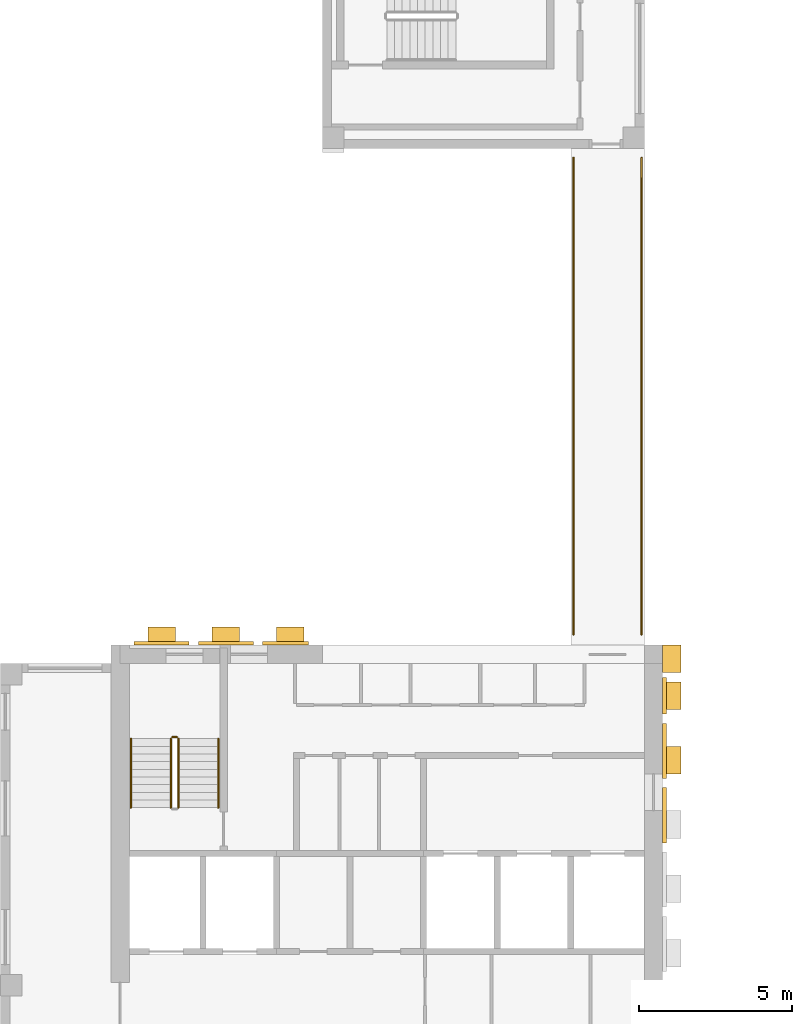
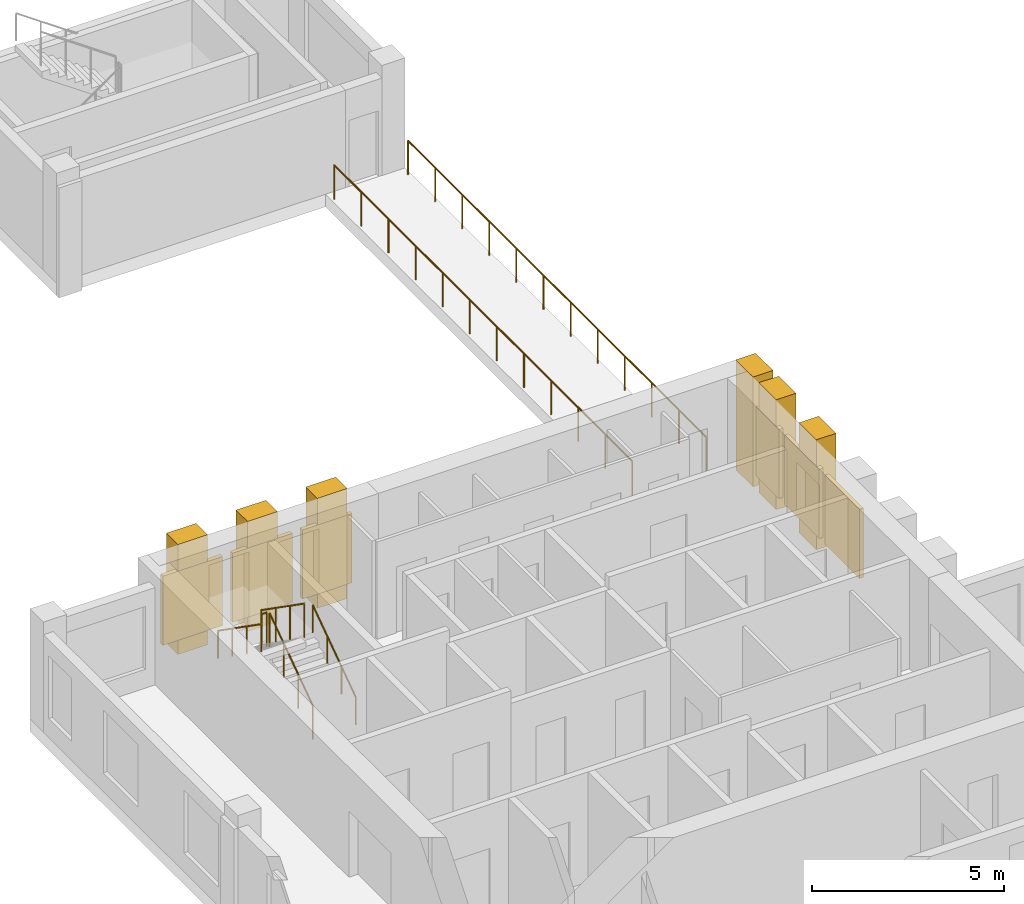
# One storey, part 7 of 9: 12 coverings, 7 railings.
"""IFC4 building model written with IfcOpenShell, lengths in metres."""

import ifcopenshell
import ifcopenshell.guid

model = None  # the IFC model being written
_history = None  # IfcOwnerHistory: only IFC2X3 demands one
_inside = {}  # id of a spatial element -> (the spatial element, [elements in it])
_under = {}  # id of a project, library or spatial element -> (it, [spatial elements below it])
_declared = {}  # id of a project -> (the project, [libraries it declares])
_typed = {}  # id of a type object -> (the type object, [elements of that type])
_made_of = {}  # id of a material, layer set ... -> (it, [elements and type objects made of it])


def new_model(schema):
    """Start an empty IFC model of exactly this schema.

    Asked for "IFC4X3", IfcOpenShell would pick the latest addendum, in which some entities
    have other attributes; the version numbers below select the first issue.
    IFC2X3 requires an IfcOwnerHistory on every rooted entity: one is made here for all.
    """
    global model, _history
    if schema == "IFC4X3":
        model = ifcopenshell.file(schema_version=(4, 3, 0, 0))
    else:
        model = ifcopenshell.file(schema=schema)
    _inside.clear()
    _under.clear()
    _declared.clear()
    _typed.clear()
    _made_of.clear()
    _history = None
    if model.schema == "IFC2X3":
        org = make("IfcOrganization", Name="unknown")
        user = make(
            "IfcPersonAndOrganization",
            ThePerson=make("IfcPerson", FamilyName="unknown"),
            TheOrganization=org,
        )
        app = make(
            "IfcApplication",
            ApplicationDeveloper=org,
            Version="unknown",
            ApplicationFullName="unknown",
            ApplicationIdentifier="unknown",
        )
        _history = make(
            "IfcOwnerHistory",
            OwningUser=user,
            OwningApplication=app,
            ChangeAction="ADDED",
            CreationDate=0,
        )
    return model


def make(cls, **values):
    """One entity of the class cls with the attributes given. An attribute that is None is left unset."""
    return model.create_entity(
        cls, **{name: value for name, value in values.items() if value is not None}
    )


def rooted(cls, **values):
    """An entity with a GlobalId (a new one), such as an element, a storey or a relation."""
    return make(cls, GlobalId=ifcopenshell.guid.new(), OwnerHistory=_history, **values)


def si_unit(unit_type, name, prefix=None):
    """IfcSIUnit, for example si_unit("LENGTHUNIT", "METRE", prefix="MILLI")."""
    return make("IfcSIUnit", UnitType=unit_type, Prefix=prefix, Name=name)


def assignment(units):
    """IfcUnitAssignment: the units of a project."""
    return None if units is None else make("IfcUnitAssignment", Units=units)


def point(xyz):
    """IfcCartesianPoint."""
    return None if xyz is None else make("IfcCartesianPoint", Coordinates=xyz)


def direction(xyz):
    """IfcDirection."""
    return None if xyz is None else make("IfcDirection", DirectionRatios=xyz)


def frame(location, z_axis=None, x_axis=None):
    """IfcAxis2Placement3D, a coordinate frame: its origin and axes. An axis left out is left unset."""
    return make(
        "IfcAxis2Placement3D",
        Location=point(location),
        Axis=direction(z_axis),
        RefDirection=direction(x_axis),
    )


def frame_2d(location, x_axis=None):
    """IfcAxis2Placement2D, a coordinate frame in the plane: its origin and x axis."""
    return make(
        "IfcAxis2Placement2D", Location=point(location), RefDirection=direction(x_axis)
    )


def origin():
    """The frame at (0, 0, 0) with its axes left unset."""
    return frame((0.0, 0.0, 0.0))


def origin_2d():
    """The frame at (0, 0) in the plane with its x axis left unset."""
    return frame_2d((0.0, 0.0))


def place(relative_to, where):
    """IfcLocalPlacement: puts the frame where relative to a parent placement (None: the world)."""
    return make(
        "IfcLocalPlacement", PlacementRelTo=relative_to, RelativePlacement=where
    )


def context(
    kind, dimensions, precision=None, world=None, true_north=None, identifier=None
):
    """IfcGeometricRepresentationContext, for example the 3D "Model" context."""
    return make(
        "IfcGeometricRepresentationContext",
        ContextIdentifier=identifier,
        ContextType=kind,
        CoordinateSpaceDimension=dimensions,
        Precision=precision,
        WorldCoordinateSystem=world,
        TrueNorth=true_north,
    )


def subcontext(parent, identifier, kind, view, scale=None):
    """IfcGeometricRepresentationSubContext, for example "Body" below "Model"."""
    return make(
        "IfcGeometricRepresentationSubContext",
        ContextIdentifier=identifier,
        ContextType=kind,
        ParentContext=parent,
        TargetScale=scale,
        TargetView=view,
    )


def project(units=None, contexts=None):
    """IfcProject with its units and contexts."""
    return rooted(
        "IfcProject",
        Name="project",
        RepresentationContexts=contexts,
        UnitsInContext=assignment(units),
    )


def spatial(cls, under=None, at=None, **own):
    """A site, building, storey or space (cls), placed at a placement, below another one or the project."""
    s = rooted(cls, ObjectPlacement=at, **own)
    if under is not None:
        _under.setdefault(under.id(), (under, []))[1].append(s)
    return s


def profile(cls, at=None, kind="AREA", **sizes):
    """A parametric profile (cls). Its sizes go by their IFC names, for example OverallWidth=200.0."""
    return make(cls, ProfileType=kind, Position=at, **sizes)


def rectangle(**sizes):
    """IfcRectangleProfileDef."""
    return profile("IfcRectangleProfileDef", **sizes)


def circle(**sizes):
    """IfcCircleProfileDef."""
    return profile("IfcCircleProfileDef", **sizes)


def extrude(swept, where, along, depth):
    """IfcExtrudedAreaSolid: the profile swept, set in the frame where, extruded along a direction by depth."""
    return make(
        "IfcExtrudedAreaSolid",
        SweptArea=swept,
        Position=where,
        ExtrudedDirection=direction(along),
        Depth=depth,
    )


def shape(context_of_items, identifier, shape_type, items):
    """IfcShapeRepresentation: the items that make up one representation, for example the "Body"."""
    return make(
        "IfcShapeRepresentation",
        ContextOfItems=context_of_items,
        RepresentationIdentifier=identifier,
        RepresentationType=shape_type,
        Items=items,
    )


def source(mapping_origin, context_of_items, identifier, shape_type, items):
    """IfcRepresentationMap: a shape defined once, which mapped items show again and again."""
    return make(
        "IfcRepresentationMap",
        MappingOrigin=mapping_origin,
        MappedRepresentation=shape(context_of_items, identifier, shape_type, items),
    )


def transform(
    local_origin,
    x_axis=None,
    y_axis=None,
    z_axis=None,
    scale=None,
    scale2=None,
    scale3=None,
    uniform=True,
):
    """IfcCartesianTransformationOperator3D, or its non-uniform kind. x_axis, y_axis, z_axis: its Axis1, 2, 3."""
    if uniform:
        return make(
            "IfcCartesianTransformationOperator3D",
            Axis1=direction(x_axis),
            Axis2=direction(y_axis),
            LocalOrigin=point(local_origin),
            Scale=scale,
            Axis3=direction(z_axis),
        )
    return make(
        "IfcCartesianTransformationOperator3DnonUniform",
        Axis1=direction(x_axis),
        Axis2=direction(y_axis),
        LocalOrigin=point(local_origin),
        Scale=scale,
        Axis3=direction(z_axis),
        Scale2=scale2,
        Scale3=scale3,
    )


def mapped(mapping_source, mapping_target):
    """IfcMappedItem: shows the shape of a source again, moved by a transform."""
    return make(
        "IfcMappedItem", MappingSource=mapping_source, MappingTarget=mapping_target
    )


def material(Name=None, Category=None):
    """IfcMaterial."""
    return make("IfcMaterial", Name=Name, Category=Category)


def made_of(thing, what):
    """Note that an element or type object is made of a material, layer set ...; save() writes the relation."""
    if what is not None:
        _made_of.setdefault(what.id(), (what, []))[1].append(thing)
    return thing


def type_object(cls, material=None, **own):
    """A type object (cls), such as IfcWallType, which elements share."""
    return made_of(rooted(cls, **own), material)


def element(
    cls,
    number,
    at=None,
    inside=None,
    cuts=None,
    type_object=None,
    material=None,
    context=None,
    identifier="Body",
    shape_type=None,
    held_by="IfcProductDefinitionShape",
    body=None,
    shapes=None,
    **own,
):
    """One element of the class cls, such as IfcWall. Its Tag is "e" and its number.

    at: its placement. inside: the storey or other place that contains it. cuts: it is an
    opening in that element (IfcRelVoidsElement). A single representation is given by context,
    identifier, shape_type and body (its items); several are given by shapes. held_by: the class
    of the entity that holds the representations. save() writes the other relations.
    """
    e = rooted(cls, Tag="e%d" % number, ObjectPlacement=at, **own)
    if body is not None:
        shapes = [shape(context, identifier, shape_type, body)]
    if shapes is not None:
        e.Representation = make(held_by, Representations=shapes)
    if inside is not None:
        _inside.setdefault(inside.id(), (inside, []))[1].append(e)
    if cuts is not None:
        rooted(
            "IfcRelVoidsElement", RelatingBuildingElement=cuts, RelatedOpeningElement=e
        )
    if type_object is not None:
        _typed.setdefault(type_object.id(), (type_object, []))[1].append(e)
    return made_of(e, material)


def aggregate(whole, parts):
    """IfcRelAggregates: a whole, such as a stair, and the parts it consists of."""
    return rooted("IfcRelAggregates", RelatingObject=whole, RelatedObjects=parts)


def save(model, path):
    """Write the relations noted so far, then the file.

    IfcRelAggregates (storeys below a building ...), IfcRelContainedInSpatialStructure (elements
    in a storey), IfcRelDefinesByType, IfcRelAssociatesMaterial and IfcRelDeclares: one each for
    every whole, place, type object, material and project.
    """
    for whole, parts in _under.values():
        aggregate(whole, parts)
    for where, things in _inside.values():
        rooted(
            "IfcRelContainedInSpatialStructure",
            RelatedElements=things,
            RelatingStructure=where,
        )
    for kind, things in _typed.values():
        rooted("IfcRelDefinesByType", RelatedObjects=things, RelatingType=kind)
    for what, things in _made_of.values():
        rooted("IfcRelAssociatesMaterial", RelatedObjects=things, RelatingMaterial=what)
    for by, libraries in _declared.values():
        rooted("IfcRelDeclares", RelatingContext=by, RelatedDefinitions=libraries)
    model.write(path)


model = new_model("IFC4")

# Units and contexts
model_context = context("Model", 3, precision=1e-05, world=origin(), true_north=direction((0.0, 1.0)))
body_context = subcontext(model_context, "Body", "Model", "MODEL_VIEW")
ifc_project = project(units=[si_unit("LENGTHUNIT", "METRE"), si_unit("AREAUNIT", "SQUARE_METRE"), si_unit("VOLUMEUNIT", "CUBIC_METRE"), si_unit("PLANEANGLEUNIT", "RADIAN"), si_unit("MASSUNIT", "GRAM", prefix="KILO")], contexts=[model_context])

# Site, building, storey
site_placement = place(None, origin())
site = spatial("IfcSite", under=ifc_project, at=site_placement, CompositionType="ELEMENT")
building_placement = place(site_placement, origin())
building = spatial("IfcBuilding", under=site, at=building_placement, Name="Aurelian Terraces", CompositionType="ELEMENT")
storey_placement = place(building_placement, frame((0.0, 0.0, 316.0)))
storey = spatial("IfcBuildingStorey", under=building, at=storey_placement, Name="L73", CompositionType="ELEMENT", Elevation=316.0)

# Railings
ifc_material_1 = material(Name="Anodised aluminium", Category="aluminium")
railing_type_1 = type_object("IfcRailingType", Name="GUARD-1100", PredefinedType="GUARDRAIL", material=ifc_material_1)
railing_1_placement = place(storey_placement, frame((18.69, 21.95, 0.0)))
element("IfcRailing", 1, at=railing_1_placement, inside=storey, type_object=railing_type_1, Name="Terrace guard L73 BLADE-W-B73.1", PredefinedType="GUARDRAIL", context=body_context, shape_type="SweptSolid", body=[
    extrude(circle(Radius=0.024, at=origin_2d()), frame((0.0, 0.0, 1.076), z_axis=(0.0, 1.0, 0.0), x_axis=(-1.0, 0.0, 0.0)), (0.0, 0.0, 1.0), 15.55),
    extrude(circle(Radius=0.021, at=origin_2d()), origin(), (0.0, 0.0, 1.0), 1.052),
    extrude(circle(Radius=0.021, at=origin_2d()), frame((0.0, 1.4136, 0.0)), (0.0, 0.0, 1.0), 1.052),
    extrude(circle(Radius=0.021, at=origin_2d()), frame((0.0, 2.8273, 0.0)), (0.0, 0.0, 1.0), 1.052),
    extrude(circle(Radius=0.021, at=origin_2d()), frame((0.0, 4.2409, 0.0)), (0.0, 0.0, 1.0), 1.052),
    extrude(circle(Radius=0.021, at=origin_2d()), frame((0.0, 5.6545, 0.0)), (0.0, 0.0, 1.0), 1.052),
    extrude(circle(Radius=0.021, at=origin_2d()), frame((0.0, 7.0682, 0.0)), (0.0, 0.0, 1.0), 1.052),
    extrude(circle(Radius=0.021, at=origin_2d()), frame((0.0, 8.4818, 0.0)), (0.0, 0.0, 1.0), 1.052),
    extrude(circle(Radius=0.021, at=origin_2d()), frame((0.0, 9.8955, 0.0)), (0.0, 0.0, 1.0), 1.052),
    extrude(circle(Radius=0.021, at=origin_2d()), frame((0.0, 11.3091, 0.0)), (0.0, 0.0, 1.0), 1.052),
    extrude(circle(Radius=0.021, at=origin_2d()), frame((0.0, 12.7227, 0.0)), (0.0, 0.0, 1.0), 1.052),
    extrude(circle(Radius=0.021, at=origin_2d()), frame((0.0, 14.1364, 0.0)), (0.0, 0.0, 1.0), 1.052),
    extrude(circle(Radius=0.021, at=origin_2d()), frame((0.0, 15.55, 0.0)), (0.0, 0.0, 1.0), 1.052),
])
railing_2_placement = place(storey_placement, frame((20.91, 37.5, 0.0)))
element("IfcRailing", 2, at=railing_2_placement, inside=storey, type_object=railing_type_1, Name="Terrace guard L73 BLADE-W-B73.2", PredefinedType="GUARDRAIL", context=body_context, shape_type="SweptSolid", body=[
    extrude(circle(Radius=0.024, at=origin_2d()), frame((0.0, 0.0, 1.076), z_axis=(0.0, -1.0, 0.0), x_axis=(1.0, 0.0, 0.0)), (0.0, 0.0, 1.0), 15.55),
    extrude(circle(Radius=0.021, at=origin_2d()), origin(), (0.0, 0.0, 1.0), 1.052),
    extrude(circle(Radius=0.021, at=origin_2d()), frame((0.0, -1.4136, 0.0)), (0.0, 0.0, 1.0), 1.052),
    extrude(circle(Radius=0.021, at=origin_2d()), frame((0.0, -2.8273, 0.0)), (0.0, 0.0, 1.0), 1.052),
    extrude(circle(Radius=0.021, at=origin_2d()), frame((0.0, -4.2409, 0.0)), (0.0, 0.0, 1.0), 1.052),
    extrude(circle(Radius=0.021, at=origin_2d()), frame((0.0, -5.6545, 0.0)), (0.0, 0.0, 1.0), 1.052),
    extrude(circle(Radius=0.021, at=origin_2d()), frame((0.0, -7.0682, 0.0)), (0.0, 0.0, 1.0), 1.052),
    extrude(circle(Radius=0.021, at=origin_2d()), frame((0.0, -8.4818, 0.0)), (0.0, 0.0, 1.0), 1.052),
    extrude(circle(Radius=0.021, at=origin_2d()), frame((0.0, -9.8955, 0.0)), (0.0, 0.0, 1.0), 1.052),
    extrude(circle(Radius=0.021, at=origin_2d()), frame((0.0, -11.3091, 0.0)), (0.0, 0.0, 1.0), 1.052),
    extrude(circle(Radius=0.021, at=origin_2d()), frame((0.0, -12.7227, 0.0)), (0.0, 0.0, 1.0), 1.052),
    extrude(circle(Radius=0.021, at=origin_2d()), frame((0.0, -14.1364, 0.0)), (0.0, 0.0, 1.0), 1.052),
    extrude(circle(Radius=0.021, at=origin_2d()), frame((0.0, -15.55, 0.0)), (0.0, 0.0, 1.0), 1.052),
])

# Coverings
ifc_material_2 = material(Name="Terracotta rainscreen cladding louvre blades", Category="masonry")
covering_type_1 = type_object("IfcCoveringType", Name="LOUVRE-TC", PredefinedType="CLADDING", material=ifc_material_2)
shared_shape_1 = source(origin(), body_context, "Body", "SweptSolid", [
    extrude(rectangle(XDim=0.12, YDim=1.8, at=origin_2d()), origin(), (0.0, 0.0, 1.0), 2.2),
])
for number, where, z_axis, x_axis, name in (
    (3, (21.66, 16.05, 0.45), (0.0, 0.0, 1.0), (1.0, 0.0, 0.0), "LOUVRE L73 core face E.3"),
    (4, (21.66, 18.15, 0.45), (0.0, 0.0, 1.0), (1.0, 0.0, 0.0), "LOUVRE L73 core face E.4"),
):
    element("IfcCovering", number, at=place(storey_placement, frame(where, z_axis=z_axis, x_axis=x_axis)), inside=storey, type_object=covering_type_1, Name=name, PredefinedType="CLADDING", context=body_context, shape_type="MappedRepresentation", body=[
        mapped(shared_shape_1, transform((0.0, 0.0, 0.0), scale=1.0)),
    ])
shared_shape_2 = source(origin(), body_context, "Body", "SweptSolid", [
    extrude(rectangle(XDim=1.8, YDim=0.12, at=origin_2d()), origin(), (0.0, 0.0, 1.0), 2.2),
])
for number, where, z_axis, x_axis, name in (
    (5, (5.25, 21.66, 0.45), (0.0, 0.0, 1.0), (1.0, 0.0, 0.0), "LOUVRE L73 core face N.1"),
    (6, (7.35, 21.66, 0.45), (0.0, 0.0, 1.0), (1.0, 0.0, 0.0), "LOUVRE L73 core face N.2"),
):
    element("IfcCovering", number, at=place(storey_placement, frame(where, z_axis=z_axis, x_axis=x_axis)), inside=storey, type_object=covering_type_1, Name=name, PredefinedType="CLADDING", context=body_context, shape_type="MappedRepresentation", body=[
        mapped(shared_shape_2, transform((0.0, 0.0, 0.0), scale=1.0)),
    ])
shared_shape_3 = source(origin(), body_context, "Body", "SweptSolid", [
    extrude(rectangle(XDim=0.12, YDim=1.2, at=origin_2d()), origin(), (0.0, 0.0, 1.0), 2.2),
])
covering_1_placement = place(storey_placement, frame((21.66, 19.95, 0.45), z_axis=(0.0, 0.0, 1.0), x_axis=(1.0, 0.0, 0.0)))
element("IfcCovering", 7, at=covering_1_placement, inside=storey, type_object=covering_type_1, Name="LOUVRE L73 core face E.5", PredefinedType="CLADDING", context=body_context, shape_type="MappedRepresentation", body=[
    mapped(shared_shape_3, transform((0.0, 0.0, 0.0), scale=1.0)),
])
shared_shape_4 = source(origin(), body_context, "Body", "SweptSolid", [
    extrude(rectangle(XDim=1.5, YDim=0.12, at=origin_2d()), origin(), (0.0, 0.0, 1.0), 2.2),
])
covering_2_placement = place(storey_placement, frame((9.3, 21.66, 0.45), z_axis=(0.0, 0.0, 1.0), x_axis=(1.0, 0.0, 0.0)))
element("IfcCovering", 8, at=covering_2_placement, inside=storey, type_object=covering_type_1, Name="LOUVRE L73 core face N.3", PredefinedType="CLADDING", context=body_context, shape_type="MappedRepresentation", body=[
    mapped(shared_shape_4, transform((0.0, 0.0, 0.0), scale=1.0)),
])

# Railings
ifc_material_3 = material(Name="Stainless steel", Category="steel")
railing_type_2 = type_object("IfcRailingType", Name="Stair guard 1100", PredefinedType="GUARDRAIL", material=ifc_material_3)
shared_shape_5 = source(origin(), body_context, "Body", "SweptSolid", [
    extrude(circle(Radius=0.024, at=origin_2d()), frame((0.0, 0.0, 1.076), z_axis=(-1.0, 0.0, 0.0), x_axis=(0.0, -1.0, 0.0)), (0.0, 0.0, 1.0), 0.15),
    extrude(circle(Radius=0.021, at=origin_2d()), origin(), (0.0, 0.0, 1.0), 1.052),
    extrude(circle(Radius=0.021, at=origin_2d()), frame((-0.15, 0.0, 0.0)), (0.0, 0.0, 1.0), 1.052),
])
railing_3_placement = place(storey_placement, frame((5.75, 18.6, 1.75)))
element("IfcRailing", 9, at=railing_3_placement, inside=storey, type_object=railing_type_2, Name="L73 S1 stair guard 2", PredefinedType="GUARDRAIL", context=body_context, shape_type="MappedRepresentation", body=[
    mapped(shared_shape_5, transform((0.0, 0.0, 0.0), scale=1.0)),
])
shared_shape_6 = source(origin(), body_context, "Body", "SweptSolid", [
    extrude(circle(Radius=0.024, at=origin_2d()), frame((0.0, 0.0, 1.076), z_axis=(0.0, 0.819231920519, 0.573462344363), x_axis=(-1.0, 0.0, 0.0)), (0.0, 0.0, 1.0), 2.7465),
    extrude(circle(Radius=0.021, at=origin_2d()), origin(), (0.0, 0.0, 1.0), 1.052),
    extrude(circle(Radius=0.021, at=origin_2d()), frame((0.0, 0.75, 0.525)), (0.0, 0.0, 1.0), 1.052),
    extrude(circle(Radius=0.021, at=origin_2d()), frame((0.0, 1.5, 1.05)), (0.0, 0.0, 1.0), 1.052),
    extrude(circle(Radius=0.021, at=origin_2d()), frame((0.0, 2.25, 1.575)), (0.0, 0.0, 1.0), 1.052),
])
railing_4_placement = place(storey_placement, frame((5.8, 16.3, 0.175)))
element("IfcRailing", 10, at=railing_4_placement, inside=storey, type_object=railing_type_2, Name="L73 S1 stair guard 1", PredefinedType="GUARDRAIL", context=body_context, shape_type="MappedRepresentation", body=[
    mapped(shared_shape_6, transform((0.0, 0.0, 0.0), scale=1.0)),
])
shared_shape_7 = source(origin(), body_context, "Body", "SweptSolid", [
    extrude(circle(Radius=0.024, at=origin_2d()), frame((0.0, 0.0, 1.076), z_axis=(0.0, -0.819231920519, 0.573462344363), x_axis=(1.0, 0.0, 0.0)), (0.0, 0.0, 1.0), 2.7465),
    extrude(circle(Radius=0.021, at=origin_2d()), origin(), (0.0, 0.0, 1.0), 1.052),
    extrude(circle(Radius=0.021, at=origin_2d()), frame((0.0, -0.75, 0.525)), (0.0, 0.0, 1.0), 1.052),
    extrude(circle(Radius=0.021, at=origin_2d()), frame((0.0, -1.5, 1.05)), (0.0, 0.0, 1.0), 1.052),
    extrude(circle(Radius=0.021, at=origin_2d()), frame((0.0, -2.25, 1.575)), (0.0, 0.0, 1.0), 1.052),
])
railing_5_placement = place(storey_placement, frame((5.55, 18.55, 1.925)))
element("IfcRailing", 11, at=railing_5_placement, inside=storey, type_object=railing_type_2, Name="L73 S1 stair guard 3", PredefinedType="GUARDRAIL", context=body_context, shape_type="MappedRepresentation", body=[
    mapped(shared_shape_7, transform((0.0, 0.0, 0.0), scale=1.0)),
])
railing_type_3 = type_object("IfcRailingType", Name="Stair handrail", PredefinedType="HANDRAIL", material=ifc_material_3)
shared_shape_8 = source(origin(), body_context, "Body", "SweptSolid", [
    extrude(circle(Radius=0.024, at=origin_2d()), frame((0.0, 0.0, 0.876), z_axis=(0.0, 0.819231920519, 0.573462344363), x_axis=(-1.0, 0.0, 0.0)), (0.0, 0.0, 1.0), 2.7465),
    extrude(circle(Radius=0.021, at=origin_2d()), origin(), (0.0, 0.0, 1.0), 0.852),
    extrude(circle(Radius=0.021, at=origin_2d()), frame((0.0, 0.75, 0.525)), (0.0, 0.0, 1.0), 0.852),
    extrude(circle(Radius=0.021, at=origin_2d()), frame((0.0, 1.5, 1.05)), (0.0, 0.0, 1.0), 0.852),
    extrude(circle(Radius=0.021, at=origin_2d()), frame((0.0, 2.25, 1.575)), (0.0, 0.0, 1.0), 0.852),
])
railing_6_placement = place(storey_placement, frame((7.1, 16.3, 0.175)))
element("IfcRailing", 12, at=railing_6_placement, inside=storey, type_object=railing_type_3, Name="L73 S1 stair handrail 1", PredefinedType="HANDRAIL", context=body_context, shape_type="MappedRepresentation", body=[
    mapped(shared_shape_8, transform((0.0, 0.0, 0.0), scale=1.0)),
])
shared_shape_9 = source(origin(), body_context, "Body", "SweptSolid", [
    extrude(circle(Radius=0.024, at=origin_2d()), frame((0.0, 0.0, 0.876), z_axis=(0.0, -0.819231920519, 0.573462344363), x_axis=(1.0, 0.0, 0.0)), (0.0, 0.0, 1.0), 2.7465),
    extrude(circle(Radius=0.021, at=origin_2d()), origin(), (0.0, 0.0, 1.0), 0.852),
    extrude(circle(Radius=0.021, at=origin_2d()), frame((0.0, -0.75, 0.525)), (0.0, 0.0, 1.0), 0.852),
    extrude(circle(Radius=0.021, at=origin_2d()), frame((0.0, -1.5, 1.05)), (0.0, 0.0, 1.0), 0.852),
    extrude(circle(Radius=0.021, at=origin_2d()), frame((0.0, -2.25, 1.575)), (0.0, 0.0, 1.0), 0.852),
])
railing_7_placement = place(storey_placement, frame((4.25, 18.55, 1.925)))
element("IfcRailing", 13, at=railing_7_placement, inside=storey, type_object=railing_type_3, Name="L73 S1 stair handrail 2", PredefinedType="HANDRAIL", context=body_context, shape_type="MappedRepresentation", body=[
    mapped(shared_shape_9, transform((0.0, 0.0, 0.0), scale=1.0)),
])

# Coverings
ifc_material_4 = material(Name="Terracotta rainscreen cladding relief", Category="masonry")
covering_type_2 = type_object("IfcCoveringType", Name="Core spine pier 900x600", PredefinedType="CLADDING", material=ifc_material_4)
shared_shape_10 = source(origin(), body_context, "Body", "SweptSolid", [
    extrude(rectangle(XDim=0.6, YDim=0.9, at=origin_2d()), origin(), (0.0, 0.0, 1.0), 3.5),
])
for number, where, z_axis, x_axis, name in (
    (14, (21.9, 17.85, 0.0), (0.0, 0.0, 1.0), (1.0, 0.0, 0.0), "Spine pier L73 E4"),
    (15, (21.9, 19.95, 0.0), (0.0, 0.0, 1.0), (1.0, 0.0, 0.0), "Spine pier L73 E5"),
    (16, (21.9, 21.15, 0.0), (0.0, 0.0, 1.0), (1.0, 0.0, 0.0), "Spine pier L73 corner east"),
):
    element("IfcCovering", number, at=place(storey_placement, frame(where, z_axis=z_axis, x_axis=x_axis)), inside=storey, type_object=covering_type_2, Name=name, PredefinedType="CLADDING", context=body_context, shape_type="MappedRepresentation", body=[
        mapped(shared_shape_10, transform((0.0, 0.0, 0.0), scale=1.0)),
    ])
shared_shape_11 = source(origin(), body_context, "Body", "SweptSolid", [
    extrude(rectangle(XDim=0.9, YDim=0.6, at=origin_2d()), origin(), (0.0, 0.0, 1.0), 3.5),
])
for number, where, z_axis, x_axis, name in (
    (17, (5.25, 21.9, 0.0), (0.0, 0.0, 1.0), (1.0, 0.0, 0.0), "Spine pier L73 N6"),
    (18, (7.35, 21.9, 0.0), (0.0, 0.0, 1.0), (1.0, 0.0, 0.0), "Spine pier L73 N7"),
    (19, (9.45, 21.9, 0.0), (0.0, 0.0, 1.0), (1.0, 0.0, 0.0), "Spine pier L73 N8"),
):
    element("IfcCovering", number, at=place(storey_placement, frame(where, z_axis=z_axis, x_axis=x_axis)), inside=storey, type_object=covering_type_2, Name=name, PredefinedType="CLADDING", context=body_context, shape_type="MappedRepresentation", body=[
        mapped(shared_shape_11, transform((0.0, 0.0, 0.0), scale=1.0)),
    ])

save(model, "model.ifc")
